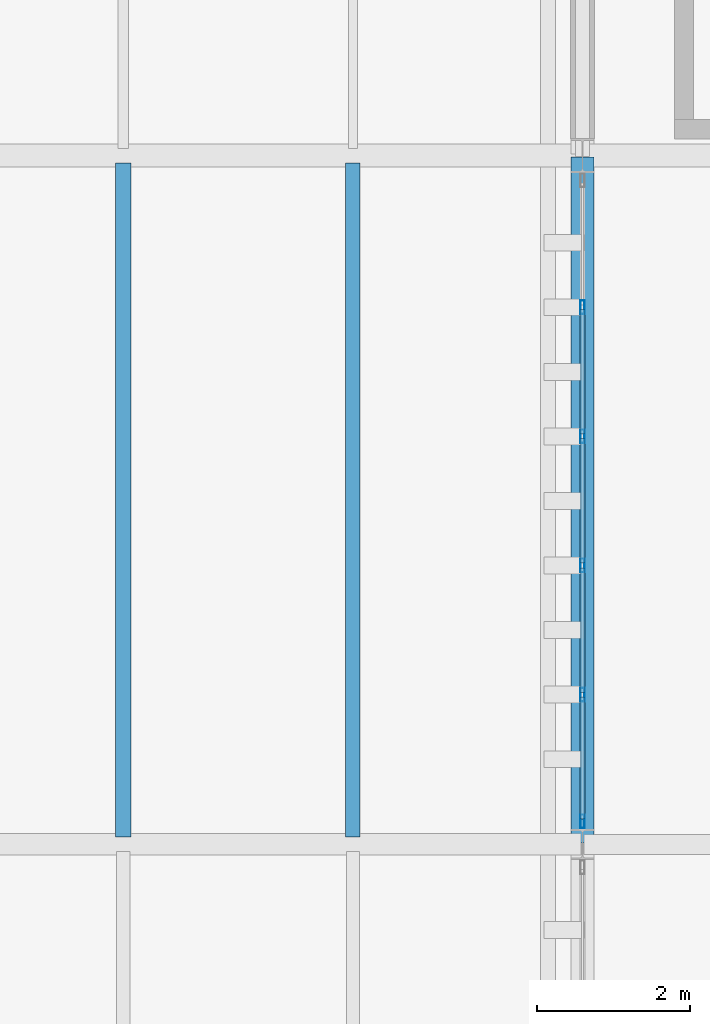
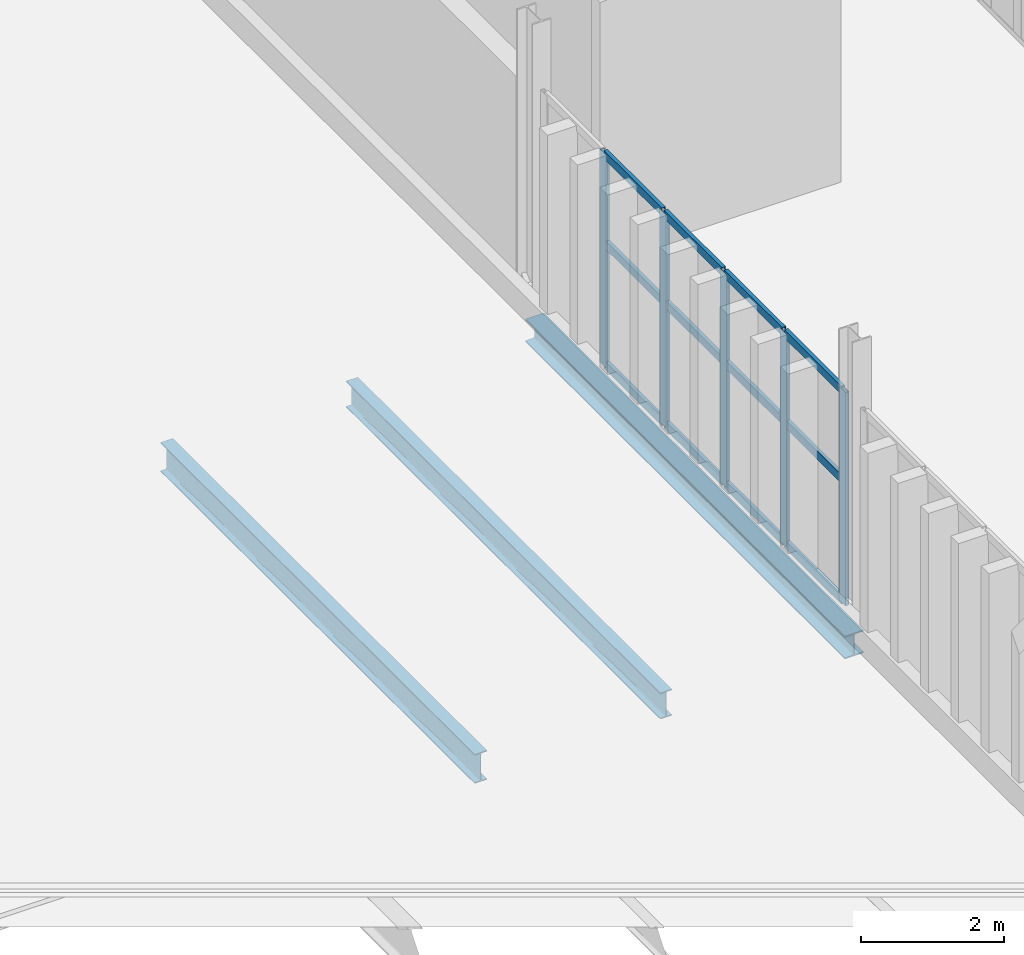
# One storey, part 83 of 196: 17 members, 3 beams, 1 element without a shape of its own.
"""IFC4 building model written with IfcOpenShell, lengths in metres."""

from ifc_helpers import new_model, si_unit, direction, frame, origin, origin_2d, place, context, subcontext, project, spatial, hollow_rectangle, i_section, extrude, material, layer, layer_set, material_profile, profile_set, type_object, element, aggregate, save


model = new_model("IFC4")

# Units and contexts
model_context = context("Model", 3, precision=1e-05, world=origin(), true_north=direction((0.0, 1.0)))
body_context = subcontext(model_context, "Body", "Model", "MODEL_VIEW")
ifc_project = project(units=[si_unit("LENGTHUNIT", "METRE"), si_unit("AREAUNIT", "SQUARE_METRE"), si_unit("VOLUMEUNIT", "CUBIC_METRE"), si_unit("PLANEANGLEUNIT", "RADIAN"), si_unit("MASSUNIT", "GRAM", prefix="KILO")], contexts=[model_context])

# Site, building, storey
site_placement = place(None, origin())
site = spatial("IfcSite", under=ifc_project, at=site_placement, CompositionType="ELEMENT")
building_placement = place(site_placement, origin())
building = spatial("IfcBuilding", under=site, at=building_placement, Name="Barlavento Convention Centre", CompositionType="ELEMENT")
storey_placement = place(building_placement, frame((0.0, 0.0, 18.0)))
storey = spatial("IfcBuildingStorey", under=building, at=storey_placement, Name="L03", CompositionType="ELEMENT", Elevation=18.0)

# Curtain wall, members
ifc_material_1 = material(Name="Powder-coated aluminium and Low-E glass", Category="aluminium")
ifc_layer = layer(ifc_material_1, 0.179931640625)
ifc_layer_set = layer_set([ifc_layer], Name="ARC-CW-CONF-L03")
curtain_wall_type = type_object("IfcCurtainWallType", Name="ARC-CW-CONF-L03", PredefinedType="NOTDEFINED", material=ifc_layer_set)
curtain_wall_placement = place(storey_placement, origin())
curtain_wall = element("IfcCurtainWall", 1, at=curtain_wall_placement, inside=storey, type_object=curtain_wall_type, Name="L03 unitised curtain wall CW08", PredefinedType="NOTDEFINED")
ifc_material_2 = material(Name="Powder-coated aluminium", Category="aluminium")
ifc_material_profile_1 = material_profile(ifc_material_2, hollow_rectangle(XDim=0.06005859375, YDim=0.179931640625, WallThickness=0.0048828125, at=origin_2d()), Name="AL-MULL 60x180x5")
ifc_profile_set_1 = profile_set([ifc_material_profile_1], Name="Powder-coated aluminium")
member_type_1 = type_object("IfcMemberType", Name="ARC-CWM-60X180", PredefinedType="MULLION", material=ifc_profile_set_1)
member_1_placement = place(storey_placement, frame((126.0, 72.300048828125, 0.0), z_axis=(0.0, 0.0, 1.0), x_axis=(-1.0, 0.0, 0.0)))
member_1 = element("IfcMember", 2, at=member_1_placement, type_object=member_type_1, Name="CW08 mullion 1", PredefinedType="MULLION", context=body_context, shape_type="SweptSolid", body=[
    extrude(hollow_rectangle(XDim=0.06005859375, YDim=0.179931640625, WallThickness=0.0048828125, at=origin_2d()), origin(), (0.0, 0.0, 1.0), 3.64990234375),
])
member_2_placement = place(storey_placement, frame((126.0, 73.95703125, 0.0), z_axis=(0.0, 0.0, 1.0), x_axis=(-1.0, 0.0, 0.0)))
member_2 = element("IfcMember", 3, at=member_2_placement, type_object=member_type_1, Name="CW08 mullion 2", PredefinedType="MULLION", context=body_context, shape_type="SweptSolid", body=[
    extrude(hollow_rectangle(XDim=0.06005859375, YDim=0.179931640625, WallThickness=0.0048828125, at=origin_2d()), origin(), (0.0, 0.0, 1.0), 3.64990234375),
])
member_3_placement = place(storey_placement, frame((126.0, 75.64404296875, 0.0), z_axis=(0.0, 0.0, 1.0), x_axis=(-1.0, 0.0, 0.0)))
member_3 = element("IfcMember", 4, at=member_3_placement, type_object=member_type_1, Name="CW08 mullion 3", PredefinedType="MULLION", context=body_context, shape_type="SweptSolid", body=[
    extrude(hollow_rectangle(XDim=0.06005859375, YDim=0.179931640625, WallThickness=0.0048828125, at=origin_2d()), origin(), (0.0, 0.0, 1.0), 3.64990234375),
])
member_4_placement = place(storey_placement, frame((126.0, 77.3310546875, 0.0), z_axis=(0.0, 0.0, 1.0), x_axis=(-1.0, 0.0, 0.0)))
member_4 = element("IfcMember", 5, at=member_4_placement, type_object=member_type_1, Name="CW08 mullion 4", PredefinedType="MULLION", context=body_context, shape_type="SweptSolid", body=[
    extrude(hollow_rectangle(XDim=0.06005859375, YDim=0.179931640625, WallThickness=0.0048828125, at=origin_2d()), origin(), (0.0, 0.0, 1.0), 3.64990234375),
])
member_5_placement = place(storey_placement, frame((126.0, 79.01806640625, 0.0), z_axis=(0.0, 0.0, 1.0), x_axis=(-1.0, 0.0, 0.0)))
member_5 = element("IfcMember", 6, at=member_5_placement, type_object=member_type_1, Name="CW08 mullion 5", PredefinedType="MULLION", context=body_context, shape_type="SweptSolid", body=[
    extrude(hollow_rectangle(XDim=0.06005859375, YDim=0.179931640625, WallThickness=0.0048828125, at=origin_2d()), origin(), (0.0, 0.0, 1.0), 3.64990234375),
])
ifc_material_profile_2 = material_profile(ifc_material_2, hollow_rectangle(XDim=0.06005859375, YDim=0.139892578125, WallThickness=0.00390625, at=origin_2d()), Name="AL-TRAN 60x140x4")
ifc_profile_set_2 = profile_set([ifc_material_profile_2], Name="Powder-coated aluminium")
member_type_2 = type_object("IfcMemberType", Name="ARC-CWT-60X140", PredefinedType="USERDEFINED", material=ifc_profile_set_2)
member_6_placement = place(storey_placement, frame((126.0, 72.330078125, 0.030029296875), z_axis=(0.0, 1.0, 0.0), x_axis=(-1.0, 0.0, 0.0)))
member_6 = element("IfcMember", 7, at=member_6_placement, type_object=member_type_2, Name="CW08 transom 1.1", ObjectType="TRANSOM", PredefinedType="USERDEFINED", context=body_context, shape_type="SweptSolid", body=[
    extrude(hollow_rectangle(XDim=0.06005859375, YDim=0.139892578125, WallThickness=0.00390625, at=origin_2d()), origin(), (0.0, 0.0, 1.0), 1.596923828125),
])
member_7_placement = place(storey_placement, frame((126.0, 72.330078125, 2.10009765625), z_axis=(0.0, 1.0, 0.0), x_axis=(-1.0, 0.0, 0.0)))
member_7 = element("IfcMember", 8, at=member_7_placement, type_object=member_type_2, Name="CW08 transom 1.2", ObjectType="TRANSOM", PredefinedType="USERDEFINED", context=body_context, shape_type="SweptSolid", body=[
    extrude(hollow_rectangle(XDim=0.06005859375, YDim=0.139892578125, WallThickness=0.00390625, at=origin_2d()), origin(), (0.0, 0.0, 1.0), 1.596923828125),
])
member_8_placement = place(storey_placement, frame((126.0, 72.330078125, 3.6201171875), z_axis=(0.0, 1.0, 0.0), x_axis=(-1.0, 0.0, 0.0)))
member_8 = element("IfcMember", 9, at=member_8_placement, type_object=member_type_2, Name="CW08 transom 1.3", ObjectType="TRANSOM", PredefinedType="USERDEFINED", context=body_context, shape_type="SweptSolid", body=[
    extrude(hollow_rectangle(XDim=0.06005859375, YDim=0.139892578125, WallThickness=0.00390625, at=origin_2d()), origin(), (0.0, 0.0, 1.0), 1.596923828125),
])
member_9_placement = place(storey_placement, frame((126.0, 73.987060546875, 0.030029296875), z_axis=(0.0, 1.0, 0.0), x_axis=(-1.0, 0.0, 0.0)))
member_9 = element("IfcMember", 10, at=member_9_placement, type_object=member_type_2, Name="CW08 transom 2.1", ObjectType="TRANSOM", PredefinedType="USERDEFINED", context=body_context, shape_type="SweptSolid", body=[
    extrude(hollow_rectangle(XDim=0.06005859375, YDim=0.139892578125, WallThickness=0.00390625, at=origin_2d()), origin(), (0.0, 0.0, 1.0), 1.626953125),
])
member_10_placement = place(storey_placement, frame((126.0, 73.987060546875, 2.10009765625), z_axis=(0.0, 1.0, 0.0), x_axis=(-1.0, 0.0, 0.0)))
member_10 = element("IfcMember", 11, at=member_10_placement, type_object=member_type_2, Name="CW08 transom 2.2", ObjectType="TRANSOM", PredefinedType="USERDEFINED", context=body_context, shape_type="SweptSolid", body=[
    extrude(hollow_rectangle(XDim=0.06005859375, YDim=0.139892578125, WallThickness=0.00390625, at=origin_2d()), origin(), (0.0, 0.0, 1.0), 1.626953125),
])
member_11_placement = place(storey_placement, frame((126.0, 73.987060546875, 3.6201171875), z_axis=(0.0, 1.0, 0.0), x_axis=(-1.0, 0.0, 0.0)))
member_11 = element("IfcMember", 12, at=member_11_placement, type_object=member_type_2, Name="CW08 transom 2.3", ObjectType="TRANSOM", PredefinedType="USERDEFINED", context=body_context, shape_type="SweptSolid", body=[
    extrude(hollow_rectangle(XDim=0.06005859375, YDim=0.139892578125, WallThickness=0.00390625, at=origin_2d()), origin(), (0.0, 0.0, 1.0), 1.626953125),
])
member_12_placement = place(storey_placement, frame((126.0, 75.674072265625, 0.030029296875), z_axis=(0.0, 1.0, 0.0), x_axis=(-1.0, 0.0, 0.0)))
member_12 = element("IfcMember", 13, at=member_12_placement, type_object=member_type_2, Name="CW08 transom 3.1", ObjectType="TRANSOM", PredefinedType="USERDEFINED", context=body_context, shape_type="SweptSolid", body=[
    extrude(hollow_rectangle(XDim=0.06005859375, YDim=0.139892578125, WallThickness=0.00390625, at=origin_2d()), origin(), (0.0, 0.0, 1.0), 1.626953125),
])
member_13_placement = place(storey_placement, frame((126.0, 75.674072265625, 2.10009765625), z_axis=(0.0, 1.0, 0.0), x_axis=(-1.0, 0.0, 0.0)))
member_13 = element("IfcMember", 14, at=member_13_placement, type_object=member_type_2, Name="CW08 transom 3.2", ObjectType="TRANSOM", PredefinedType="USERDEFINED", context=body_context, shape_type="SweptSolid", body=[
    extrude(hollow_rectangle(XDim=0.06005859375, YDim=0.139892578125, WallThickness=0.00390625, at=origin_2d()), origin(), (0.0, 0.0, 1.0), 1.626953125),
])
member_14_placement = place(storey_placement, frame((126.0, 75.674072265625, 3.6201171875), z_axis=(0.0, 1.0, 0.0), x_axis=(-1.0, 0.0, 0.0)))
member_14 = element("IfcMember", 15, at=member_14_placement, type_object=member_type_2, Name="CW08 transom 3.3", ObjectType="TRANSOM", PredefinedType="USERDEFINED", context=body_context, shape_type="SweptSolid", body=[
    extrude(hollow_rectangle(XDim=0.06005859375, YDim=0.139892578125, WallThickness=0.00390625, at=origin_2d()), origin(), (0.0, 0.0, 1.0), 1.626953125),
])
member_15_placement = place(storey_placement, frame((126.0, 77.361083984375, 0.030029296875), z_axis=(0.0, 1.0, 0.0), x_axis=(-1.0, 0.0, 0.0)))
member_15 = element("IfcMember", 16, at=member_15_placement, type_object=member_type_2, Name="CW08 transom 4.1", ObjectType="TRANSOM", PredefinedType="USERDEFINED", context=body_context, shape_type="SweptSolid", body=[
    extrude(hollow_rectangle(XDim=0.06005859375, YDim=0.139892578125, WallThickness=0.00390625, at=origin_2d()), origin(), (0.0, 0.0, 1.0), 1.626953125),
])
member_16_placement = place(storey_placement, frame((126.0, 77.361083984375, 2.10009765625), z_axis=(0.0, 1.0, 0.0), x_axis=(-1.0, 0.0, 0.0)))
member_16 = element("IfcMember", 17, at=member_16_placement, type_object=member_type_2, Name="CW08 transom 4.2", ObjectType="TRANSOM", PredefinedType="USERDEFINED", context=body_context, shape_type="SweptSolid", body=[
    extrude(hollow_rectangle(XDim=0.06005859375, YDim=0.139892578125, WallThickness=0.00390625, at=origin_2d()), origin(), (0.0, 0.0, 1.0), 1.626953125),
])
member_17_placement = place(storey_placement, frame((126.0, 77.361083984375, 3.6201171875), z_axis=(0.0, 1.0, 0.0), x_axis=(-1.0, 0.0, 0.0)))
member_17 = element("IfcMember", 18, at=member_17_placement, type_object=member_type_2, Name="CW08 transom 4.3", ObjectType="TRANSOM", PredefinedType="USERDEFINED", context=body_context, shape_type="SweptSolid", body=[
    extrude(hollow_rectangle(XDim=0.06005859375, YDim=0.139892578125, WallThickness=0.00390625, at=origin_2d()), origin(), (0.0, 0.0, 1.0), 1.626953125),
])
aggregate(curtain_wall, [member_1, member_2, member_3, member_4, member_5, member_6, member_7, member_8, member_9, member_10, member_11, member_12, member_13, member_14, member_15, member_16, member_17])

# Beams
ifc_material_3 = material(Name="Steel S355", Category="steel")
ifc_material_profile_3 = material_profile(ifc_material_3, i_section(OverallWidth=0.18994140625, OverallDepth=0.449951171875, WebThickness=0.009521484375, FlangeThickness=0.0146484375, FilletRadius=0.02099609375, at=origin_2d()), Name="IPE 450")
ifc_profile_set_3 = profile_set([ifc_material_profile_3], Name="Steel S355")
beam_type_1 = type_object("IfcBeamType", Name="STR-BM-JST-IPE450", PredefinedType="JOIST", material=ifc_profile_set_3)
beam_1_placement = place(storey_placement, frame((123.0, 72.094970703125, -0.570068359375), z_axis=(0.0, 1.0, 0.0), x_axis=(-1.0, 0.0, 0.0)))
element("IfcBeam", 19, at=beam_1_placement, inside=storey, type_object=beam_type_1, Name="L03 composite floor joist SJ03", PredefinedType="JOIST", context=body_context, shape_type="SweptSolid", body=[
    extrude(i_section(OverallWidth=0.18994140625, OverallDepth=0.449951171875, WebThickness=0.009521484375, FlangeThickness=0.0146484375, FilletRadius=0.02099609375, at=origin_2d()), origin(), (0.0, 0.0, 1.0), 8.81005859375),
])
ifc_material_profile_4 = material_profile(ifc_material_3, i_section(OverallWidth=0.199951171875, OverallDepth=0.5, WebThickness=0.01025390625, FlangeThickness=0.01611328125, FilletRadius=0.02099609375, at=origin_2d()), Name="IPE 500")
ifc_profile_set_4 = profile_set([ifc_material_profile_4], Name="Steel S355")
beam_type_2 = type_object("IfcBeamType", Name="STR-BM-JST-IPE500", PredefinedType="JOIST", material=ifc_profile_set_4)
beam_2_placement = place(storey_placement, frame((120.0, 72.094970703125, -0.594970703125), z_axis=(0.0, 1.0, 0.0), x_axis=(-1.0, 0.0, 0.0)))
element("IfcBeam", 20, at=beam_2_placement, inside=storey, type_object=beam_type_2, Name="L03 composite floor joist SJ02", PredefinedType="JOIST", context=body_context, shape_type="SweptSolid", body=[
    extrude(i_section(OverallWidth=0.199951171875, OverallDepth=0.5, WebThickness=0.01025390625, FlangeThickness=0.01611328125, FilletRadius=0.02099609375, at=origin_2d()), origin(), (0.0, 0.0, 1.0), 8.81005859375),
])
ifc_material_profile_5 = material_profile(ifc_material_3, i_section(OverallWidth=0.300048828125, OverallDepth=0.389892578125, WebThickness=0.010986328125, FlangeThickness=0.01904296875, FilletRadius=0.027099609375, at=origin_2d()), Name="HEA 400")
ifc_profile_set_5 = profile_set([ifc_material_profile_5], Name="Steel S355")
beam_type_3 = type_object("IfcBeamType", Name="STR-BM-PRI-HEA400", PredefinedType="BEAM", material=ifc_profile_set_5)
beam_3_placement = place(storey_placement, frame((126.0, 72.02001953125, -0.554931640625), z_axis=(0.0, 1.0, 0.0), x_axis=(-1.0, 0.0, 0.0)))
element("IfcBeam", 21, at=beam_3_placement, inside=storey, type_object=beam_type_3, Name="L03 grid girder BG22", PredefinedType="BEAM", context=body_context, shape_type="SweptSolid", body=[
    extrude(i_section(OverallWidth=0.300048828125, OverallDepth=0.389892578125, WebThickness=0.010986328125, FlangeThickness=0.01904296875, FilletRadius=0.027099609375, at=origin_2d()), origin(), (0.0, 0.0, 1.0), 8.9599609375),
])

save(model, "model.ifc")
